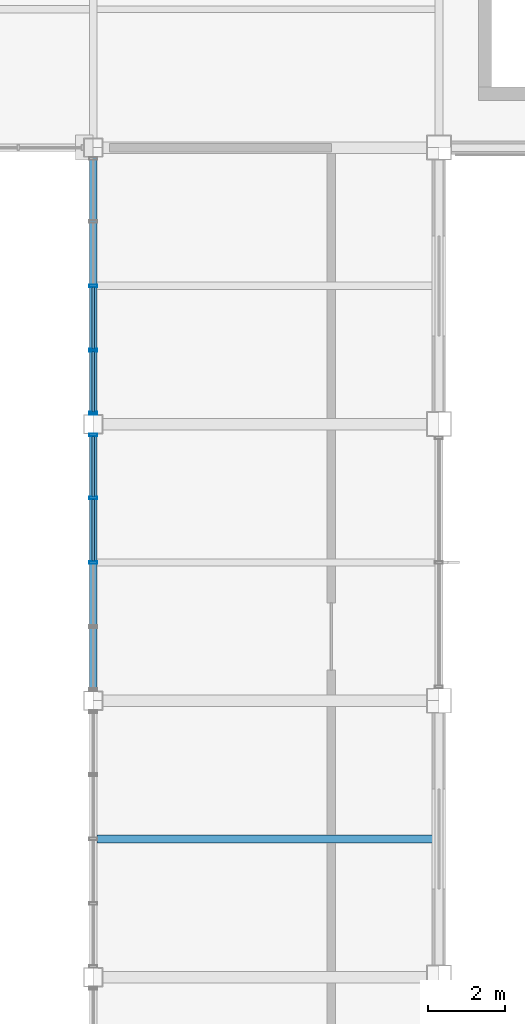
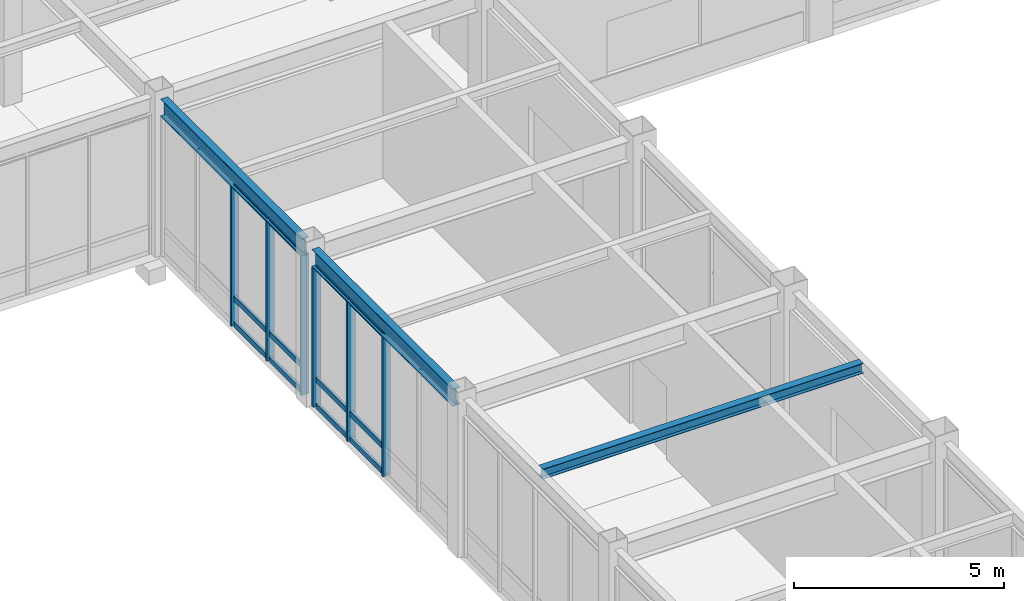
# One storey, part 33 of 112: 18 members, 3 beams, 2 elements without a shape of their own.
"""IFC4 building model written with IfcOpenShell, lengths in metres."""

from ifc_helpers import new_model, si_unit, direction, frame, origin, origin_2d, place, context, subcontext, project, spatial, hollow_rectangle, i_section, extrude, material, material_profile, profile_set, type_object, element, aggregate, save


model = new_model("IFC4")

# Units and contexts
model_context = context("Model", 3, precision=1e-05, world=origin(), true_north=direction((0.0, 1.0)))
body_context = subcontext(model_context, "Body", "Model", "MODEL_VIEW")
ifc_project = project(units=[si_unit("LENGTHUNIT", "METRE"), si_unit("AREAUNIT", "SQUARE_METRE"), si_unit("VOLUMEUNIT", "CUBIC_METRE"), si_unit("PLANEANGLEUNIT", "RADIAN"), si_unit("MASSUNIT", "GRAM", prefix="KILO")], contexts=[model_context])

# Site, building, storey
site_placement = place(None, origin())
site = spatial("IfcSite", under=ifc_project, at=site_placement, CompositionType="ELEMENT")
building_placement = place(site_placement, origin())
building = spatial("IfcBuilding", under=site, at=building_placement, Name="Kazanami Central Library", CompositionType="ELEMENT")
storey_placement = place(building_placement, origin())
storey = spatial("IfcBuildingStorey", under=building, at=storey_placement, Name="L01", CompositionType="ELEMENT", Elevation=0.0)

# Beams
ifc_material_1 = material(Name="Steel SN400B (235 MPa)", Category="steel")
ifc_material_profile_1 = material_profile(ifc_material_1, i_section(OverallWidth=0.199951171875, OverallDepth=0.2939453125, WebThickness=0.008056640625, FlangeThickness=0.011962890625, at=origin_2d()), Name="H-294x200x8x12")
ifc_profile_set_1 = profile_set([ifc_material_profile_1], Name="Steel SN400B (235 MPa)")
beam_type_1 = type_object("IfcBeamType", Name="BM-B-S5", PredefinedType="JOIST", material=ifc_profile_set_1)
beam_placement = place(storey_placement, frame((45.097900390625, 46.800048828125, 4.407958984375), z_axis=(1.0, 0.0, 0.0), x_axis=(0.0, 1.0, 0.0)))
element("IfcBeam", 1, at=beam_placement, inside=storey, type_object=beam_type_1, Name="Composite Secondary Joist B-S5 L01 Bay 6/G.1", PredefinedType="JOIST", context=body_context, shape_type="SweptSolid", body=[
    extrude(i_section(OverallWidth=0.199951171875, OverallDepth=0.2939453125, WebThickness=0.008056640625, FlangeThickness=0.011962890625, at=origin_2d()), origin(), (0.0, 0.0, 1.0), 8.80419921875),
])
ifc_material_2 = material(Name="Steel SN490B (325 MPa)", Category="steel")
ifc_material_profile_2 = material_profile(ifc_material_2, i_section(OverallWidth=0.199951171875, OverallDepth=0.5, WebThickness=0.010009765625, FlangeThickness=0.01611328125, at=origin_2d()), Name="H-500x200x10x16")
ifc_profile_set_2 = profile_set([ifc_material_profile_2], Name="Steel SN490B (325 MPa)")
beam_type_2 = type_object("IfcBeamType", Name="BM-SP-1", PredefinedType="SPANDREL", material=ifc_profile_set_2)
for number, where, z_axis, x_axis, name in (
    (2, (45.0, 50.64794921875, 4.304931640625), (0.0, 1.0, 0.0), (-1.0, 0.0, 0.0), "Girder SP-1 L01 6/H-J"),
    (3, (45.0, 57.847900390625, 4.304931640625), (0.0, 1.0, 0.0), (-1.0, 0.0, 0.0), "Girder SP-1 L01 6/J-K"),
):
    element("IfcBeam", number, at=place(storey_placement, frame(where, z_axis=z_axis, x_axis=x_axis)), inside=storey, type_object=beam_type_2, Name=name, PredefinedType="SPANDREL", context=body_context, shape_type="SweptSolid", body=[
        extrude(i_section(OverallWidth=0.199951171875, OverallDepth=0.5, WebThickness=0.010009765625, FlangeThickness=0.01611328125, at=origin_2d()), origin(), (0.0, 0.0, 1.0), 6.7041015625),
    ])

# Curtain wall, members
ifc_material_3 = material(Name="Acid-Etched Low-E Laminated Glass", Category="glass")
curtain_wall_type = type_object("IfcCurtainWallType", Name="CW-6700x4055-M180", PredefinedType="USERDEFINED", material=ifc_material_3)
curtain_wall_1_placement = place(storey_placement, origin())
curtain_wall_1 = element("IfcCurtainWall", 4, at=curtain_wall_1_placement, inside=storey, type_object=curtain_wall_type, Name="Covered Link Bridge Curtain Wall CW-09 L01 W-6-07", ObjectType="UNITISED CURTAIN WALL", PredefinedType="USERDEFINED")
ifc_material_4 = material(Name="Anodised Aluminium A6063-T5", Category="aluminium")
ifc_material_profile_3 = material_profile(ifc_material_4, hollow_rectangle(XDim=0.070068359375, YDim=0.2099609375, WallThickness=0.0048828125, at=origin_2d()), Name="ALU-MULL-70x210x5")
ifc_profile_set_3 = profile_set([ifc_material_profile_3], Name="Anodised Aluminium A6063-T5")
member_type_1 = type_object("IfcMemberType", Name="MEM-CW-M1", PredefinedType="MULLION", material=ifc_profile_set_3)
member_1_placement = place(storey_placement, frame((45.0, 54.0, 0.0), z_axis=(0.0, 0.0, 1.0), x_axis=(0.0, 1.0, 0.0)))
member_1 = element("IfcMember", 5, at=member_1_placement, type_object=member_type_1, Name="CW-09 mullion 3", PredefinedType="MULLION", context=body_context, shape_type="SweptSolid", body=[
    extrude(hollow_rectangle(XDim=0.070068359375, YDim=0.2099609375, WallThickness=0.0048828125, at=origin_2d()), origin(), (0.0, 0.0, 1.0), 4.054931640625),
])
member_2_placement = place(storey_placement, frame((45.0, 55.675048828125, 0.0), z_axis=(0.0, 0.0, 1.0), x_axis=(0.0, 1.0, 0.0)))
member_2 = element("IfcMember", 6, at=member_2_placement, type_object=member_type_1, Name="CW-09 mullion 4", PredefinedType="MULLION", context=body_context, shape_type="SweptSolid", body=[
    extrude(hollow_rectangle(XDim=0.070068359375, YDim=0.2099609375, WallThickness=0.0048828125, at=origin_2d()), origin(), (0.0, 0.0, 1.0), 4.054931640625),
])
member_3_placement = place(storey_placement, frame((45.0, 57.31494140625, 0.0), z_axis=(0.0, 0.0, 1.0), x_axis=(0.0, 1.0, 0.0)))
member_3 = element("IfcMember", 7, at=member_3_placement, type_object=member_type_1, Name="CW-09 mullion 5", PredefinedType="MULLION", context=body_context, shape_type="SweptSolid", body=[
    extrude(hollow_rectangle(XDim=0.070068359375, YDim=0.2099609375, WallThickness=0.0048828125, at=origin_2d()), origin(), (0.0, 0.0, 1.0), 4.054931640625),
])

curtain_wall_2_placement = place(storey_placement, origin())
curtain_wall_2 = element("IfcCurtainWall", 8, at=curtain_wall_2_placement, inside=storey, type_object=curtain_wall_type, Name="Covered Link Bridge Curtain Wall CW-09 L01 W-6-08", ObjectType="UNITISED CURTAIN WALL", PredefinedType="USERDEFINED")
member_4_placement = place(storey_placement, frame((45.0, 57.885009765625, 0.0), z_axis=(0.0, 0.0, 1.0), x_axis=(0.0, 1.0, 0.0)))
member_4 = element("IfcMember", 9, at=member_4_placement, type_object=member_type_1, Name="CW-09 mullion 1", PredefinedType="MULLION", context=body_context, shape_type="SweptSolid", body=[
    extrude(hollow_rectangle(XDim=0.070068359375, YDim=0.2099609375, WallThickness=0.0048828125, at=origin_2d()), origin(), (0.0, 0.0, 1.0), 4.054931640625),
])
member_5_placement = place(storey_placement, frame((45.0, 59.52490234375, 0.0), z_axis=(0.0, 0.0, 1.0), x_axis=(0.0, 1.0, 0.0)))
member_5 = element("IfcMember", 10, at=member_5_placement, type_object=member_type_1, Name="CW-09 mullion 2", PredefinedType="MULLION", context=body_context, shape_type="SweptSolid", body=[
    extrude(hollow_rectangle(XDim=0.070068359375, YDim=0.2099609375, WallThickness=0.0048828125, at=origin_2d()), origin(), (0.0, 0.0, 1.0), 4.054931640625),
])
member_6_placement = place(storey_placement, frame((45.0, 61.199951171875, 0.0), z_axis=(0.0, 0.0, 1.0), x_axis=(0.0, 1.0, 0.0)))
member_6 = element("IfcMember", 11, at=member_6_placement, type_object=member_type_1, Name="CW-09 mullion 3", PredefinedType="MULLION", context=body_context, shape_type="SweptSolid", body=[
    extrude(hollow_rectangle(XDim=0.070068359375, YDim=0.2099609375, WallThickness=0.0048828125, at=origin_2d()), origin(), (0.0, 0.0, 1.0), 4.054931640625),
])

# Member
ifc_material_profile_4 = material_profile(ifc_material_4, hollow_rectangle(XDim=0.070068359375, YDim=0.159912109375, WallThickness=0.00390625, at=origin_2d()), Name="ALU-TRAN-70x160x4")
ifc_profile_set_4 = profile_set([ifc_material_profile_4], Name="Anodised Aluminium A6063-T5")
member_type_2 = type_object("IfcMemberType", Name="MEM-CW-T1", PredefinedType="USERDEFINED", material=ifc_profile_set_4)
member_7_placement = place(storey_placement, frame((45.0, 54.034912109375, 0.034912109375), z_axis=(0.0, 1.0, 0.0), x_axis=(-1.0, 0.0, 0.0)))
member_7 = element("IfcMember", 12, at=member_7_placement, type_object=member_type_2, Name="CW-09 transom 3.1", ObjectType="TRANSOM", PredefinedType="USERDEFINED", context=body_context, shape_type="SweptSolid", body=[
    extrude(hollow_rectangle(XDim=0.070068359375, YDim=0.159912109375, WallThickness=0.00390625, at=origin_2d()), origin(), (0.0, 0.0, 1.0), 1.60498046875),
])

member_8_placement = place(storey_placement, frame((45.0, 54.034912109375, 0.780029296875), z_axis=(0.0, 1.0, 0.0), x_axis=(-1.0, 0.0, 0.0)))
member_8 = element("IfcMember", 13, at=member_8_placement, type_object=member_type_2, Name="CW-09 transom 3.2", ObjectType="TRANSOM", PredefinedType="USERDEFINED", context=body_context, shape_type="SweptSolid", body=[
    extrude(hollow_rectangle(XDim=0.070068359375, YDim=0.159912109375, WallThickness=0.00390625, at=origin_2d()), origin(), (0.0, 0.0, 1.0), 1.60498046875),
])

member_9_placement = place(storey_placement, frame((45.0, 54.034912109375, 4.02001953125), z_axis=(0.0, 1.0, 0.0), x_axis=(-1.0, 0.0, 0.0)))
member_9 = element("IfcMember", 14, at=member_9_placement, type_object=member_type_2, Name="CW-09 transom 3.3", ObjectType="TRANSOM", PredefinedType="USERDEFINED", context=body_context, shape_type="SweptSolid", body=[
    extrude(hollow_rectangle(XDim=0.070068359375, YDim=0.159912109375, WallThickness=0.00390625, at=origin_2d()), origin(), (0.0, 0.0, 1.0), 1.60498046875),
])

member_10_placement = place(storey_placement, frame((45.0, 55.7099609375, 0.034912109375), z_axis=(0.0, 1.0, 0.0), x_axis=(-1.0, 0.0, 0.0)))
member_10 = element("IfcMember", 15, at=member_10_placement, type_object=member_type_2, Name="CW-09 transom 4.1", ObjectType="TRANSOM", PredefinedType="USERDEFINED", context=body_context, shape_type="SweptSolid", body=[
    extrude(hollow_rectangle(XDim=0.070068359375, YDim=0.159912109375, WallThickness=0.00390625, at=origin_2d()), origin(), (0.0, 0.0, 1.0), 1.570068359375),
])

member_11_placement = place(storey_placement, frame((45.0, 55.7099609375, 0.780029296875), z_axis=(0.0, 1.0, 0.0), x_axis=(-1.0, 0.0, 0.0)))
member_11 = element("IfcMember", 16, at=member_11_placement, type_object=member_type_2, Name="CW-09 transom 4.2", ObjectType="TRANSOM", PredefinedType="USERDEFINED", context=body_context, shape_type="SweptSolid", body=[
    extrude(hollow_rectangle(XDim=0.070068359375, YDim=0.159912109375, WallThickness=0.00390625, at=origin_2d()), origin(), (0.0, 0.0, 1.0), 1.570068359375),
])

member_12_placement = place(storey_placement, frame((45.0, 55.7099609375, 4.02001953125), z_axis=(0.0, 1.0, 0.0), x_axis=(-1.0, 0.0, 0.0)))
member_12 = element("IfcMember", 17, at=member_12_placement, type_object=member_type_2, Name="CW-09 transom 4.3", ObjectType="TRANSOM", PredefinedType="USERDEFINED", context=body_context, shape_type="SweptSolid", body=[
    extrude(hollow_rectangle(XDim=0.070068359375, YDim=0.159912109375, WallThickness=0.00390625, at=origin_2d()), origin(), (0.0, 0.0, 1.0), 1.570068359375),
])

aggregate(curtain_wall_1, [member_1, member_2, member_3, member_7, member_8, member_9, member_10, member_11, member_12])

member_13_placement = place(storey_placement, frame((45.0, 57.919921875, 0.034912109375), z_axis=(0.0, 1.0, 0.0), x_axis=(-1.0, 0.0, 0.0)))
member_13 = element("IfcMember", 18, at=member_13_placement, type_object=member_type_2, Name="CW-09 transom 1.1", ObjectType="TRANSOM", PredefinedType="USERDEFINED", context=body_context, shape_type="SweptSolid", body=[
    extrude(hollow_rectangle(XDim=0.070068359375, YDim=0.159912109375, WallThickness=0.00390625, at=origin_2d()), origin(), (0.0, 0.0, 1.0), 1.570068359375),
])

member_14_placement = place(storey_placement, frame((45.0, 57.919921875, 0.780029296875), z_axis=(0.0, 1.0, 0.0), x_axis=(-1.0, 0.0, 0.0)))
member_14 = element("IfcMember", 19, at=member_14_placement, type_object=member_type_2, Name="CW-09 transom 1.2", ObjectType="TRANSOM", PredefinedType="USERDEFINED", context=body_context, shape_type="SweptSolid", body=[
    extrude(hollow_rectangle(XDim=0.070068359375, YDim=0.159912109375, WallThickness=0.00390625, at=origin_2d()), origin(), (0.0, 0.0, 1.0), 1.570068359375),
])

member_15_placement = place(storey_placement, frame((45.0, 57.919921875, 4.02001953125), z_axis=(0.0, 1.0, 0.0), x_axis=(-1.0, 0.0, 0.0)))
member_15 = element("IfcMember", 20, at=member_15_placement, type_object=member_type_2, Name="CW-09 transom 1.3", ObjectType="TRANSOM", PredefinedType="USERDEFINED", context=body_context, shape_type="SweptSolid", body=[
    extrude(hollow_rectangle(XDim=0.070068359375, YDim=0.159912109375, WallThickness=0.00390625, at=origin_2d()), origin(), (0.0, 0.0, 1.0), 1.570068359375),
])

member_16_placement = place(storey_placement, frame((45.0, 59.56005859375, 0.034912109375), z_axis=(0.0, 1.0, 0.0), x_axis=(-1.0, 0.0, 0.0)))
member_16 = element("IfcMember", 21, at=member_16_placement, type_object=member_type_2, Name="CW-09 transom 2.1", ObjectType="TRANSOM", PredefinedType="USERDEFINED", context=body_context, shape_type="SweptSolid", body=[
    extrude(hollow_rectangle(XDim=0.070068359375, YDim=0.159912109375, WallThickness=0.00390625, at=origin_2d()), origin(), (0.0, 0.0, 1.0), 1.60498046875),
])

member_17_placement = place(storey_placement, frame((45.0, 59.56005859375, 0.780029296875), z_axis=(0.0, 1.0, 0.0), x_axis=(-1.0, 0.0, 0.0)))
member_17 = element("IfcMember", 22, at=member_17_placement, type_object=member_type_2, Name="CW-09 transom 2.2", ObjectType="TRANSOM", PredefinedType="USERDEFINED", context=body_context, shape_type="SweptSolid", body=[
    extrude(hollow_rectangle(XDim=0.070068359375, YDim=0.159912109375, WallThickness=0.00390625, at=origin_2d()), origin(), (0.0, 0.0, 1.0), 1.60498046875),
])

member_18_placement = place(storey_placement, frame((45.0, 59.56005859375, 4.02001953125), z_axis=(0.0, 1.0, 0.0), x_axis=(-1.0, 0.0, 0.0)))
member_18 = element("IfcMember", 23, at=member_18_placement, type_object=member_type_2, Name="CW-09 transom 2.3", ObjectType="TRANSOM", PredefinedType="USERDEFINED", context=body_context, shape_type="SweptSolid", body=[
    extrude(hollow_rectangle(XDim=0.070068359375, YDim=0.159912109375, WallThickness=0.00390625, at=origin_2d()), origin(), (0.0, 0.0, 1.0), 1.60498046875),
])

aggregate(curtain_wall_2, [member_4, member_5, member_6, member_13, member_14, member_15, member_16, member_17, member_18])

save(model, "model.ifc")
